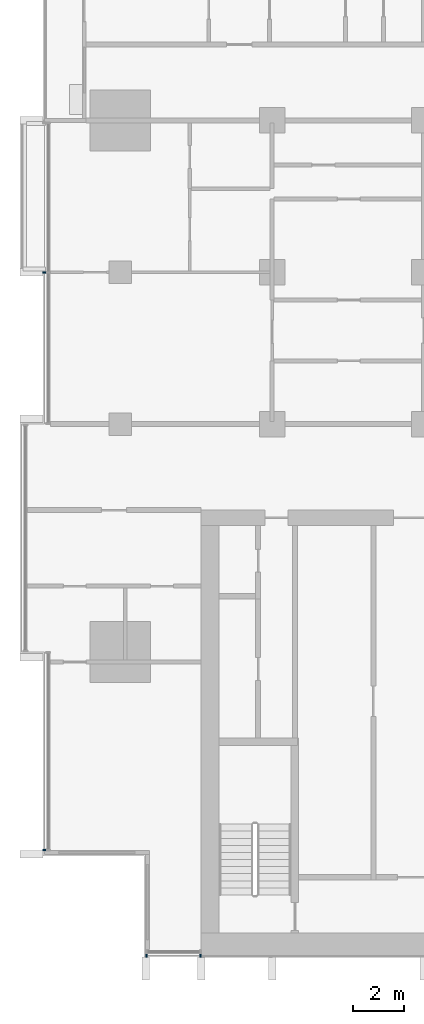
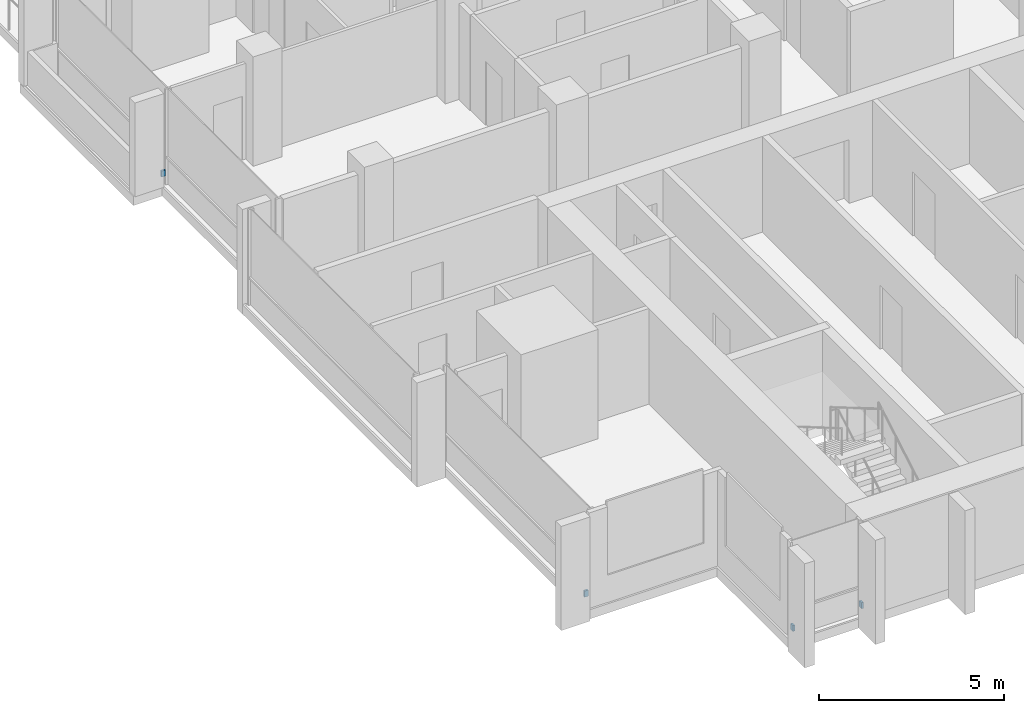
# One storey, part 13 of 17: 4 discrete accessories.
"""IFC4 building model written with IfcOpenShell, lengths in metres."""

from ifc_helpers import new_model, si_unit, direction, frame, origin, origin_2d, place, context, subcontext, project, spatial, rectangle, extrude, material, type_object, element, save


model = new_model("IFC4")

# Units and contexts
model_context = context("Model", 3, precision=1e-05, world=origin(), true_north=direction((0.0, 1.0)))
body_context = subcontext(model_context, "Body", "Model", "MODEL_VIEW")
ifc_project = project(units=[si_unit("LENGTHUNIT", "METRE"), si_unit("AREAUNIT", "SQUARE_METRE"), si_unit("VOLUMEUNIT", "CUBIC_METRE"), si_unit("PLANEANGLEUNIT", "RADIAN"), si_unit("MASSUNIT", "GRAM", prefix="KILO")], contexts=[model_context])

# Site, building, storey
site_placement = place(None, origin())
site = spatial("IfcSite", under=ifc_project, at=site_placement, CompositionType="ELEMENT")
building_placement = place(site_placement, origin())
building = spatial("IfcBuilding", under=site, at=building_placement, Name="Finial Court Residences", CompositionType="ELEMENT")
storey_placement = place(building_placement, frame((0.0, 0.0, 196.10009765625)))
storey = spatial("IfcBuildingStorey", under=building, at=storey_placement, Name="L49", CompositionType="ELEMENT", Elevation=196.10009765625)

# Discrete accessories
ifc_material = material(Name="Stainless steel 316", Category="steel")
discrete_accessory_type = type_object("IfcDiscreteAccessoryType", Name="Fin bracket, stainless steel 60 x 122 x 200", PredefinedType="BRACKET", material=ifc_material)
for number, where, z_axis, x_axis, name in (
    (1, (-15.469970703125, -25.498779296875, 0.2998046875), (0.0, 0.0, 1.0), (1.0, 0.0, 0.0), "E-L49-FIN-S14-BRK"),
    (2, (-13.330078125, -25.498779296875, 0.2998046875), (0.0, 0.0, 1.0), (1.0, 0.0, 0.0), "E-L49-FIN-S15-BRK"),
):
    element("IfcDiscreteAccessory", number, at=place(storey_placement, frame(where, z_axis=z_axis, x_axis=x_axis)), inside=storey, type_object=discrete_accessory_type, Name=name, PredefinedType="BRACKET", context=body_context, shape_type="SweptSolid", body=[
        extrude(rectangle(XDim=0.06005859375, YDim=0.12255859375, at=origin_2d()), origin(), (0.0, 0.0, 1.0), 0.199951171875),
    ])
for number, where, z_axis, x_axis, name in (
    (3, (-19.498779296875, -21.320068359375, 0.2998046875), (0.0, 0.0, 1.0), (1.0, 0.0, 0.0), "E-L49-FIN-W22-BRK"),
    (4, (-19.498779296875, 1.5, 0.2998046875), (0.0, 0.0, 1.0), (1.0, 0.0, 0.0), "E-L49-FIN-W25-BRK"),
):
    element("IfcDiscreteAccessory", number, at=place(storey_placement, frame(where, z_axis=z_axis, x_axis=x_axis)), inside=storey, type_object=discrete_accessory_type, Name=name, PredefinedType="BRACKET", context=body_context, shape_type="SweptSolid", body=[
        extrude(rectangle(XDim=0.12255859375, YDim=0.06005859375, at=origin_2d()), origin(), (0.0, 0.0, 1.0), 0.199951171875),
    ])

save(model, "model.ifc")
